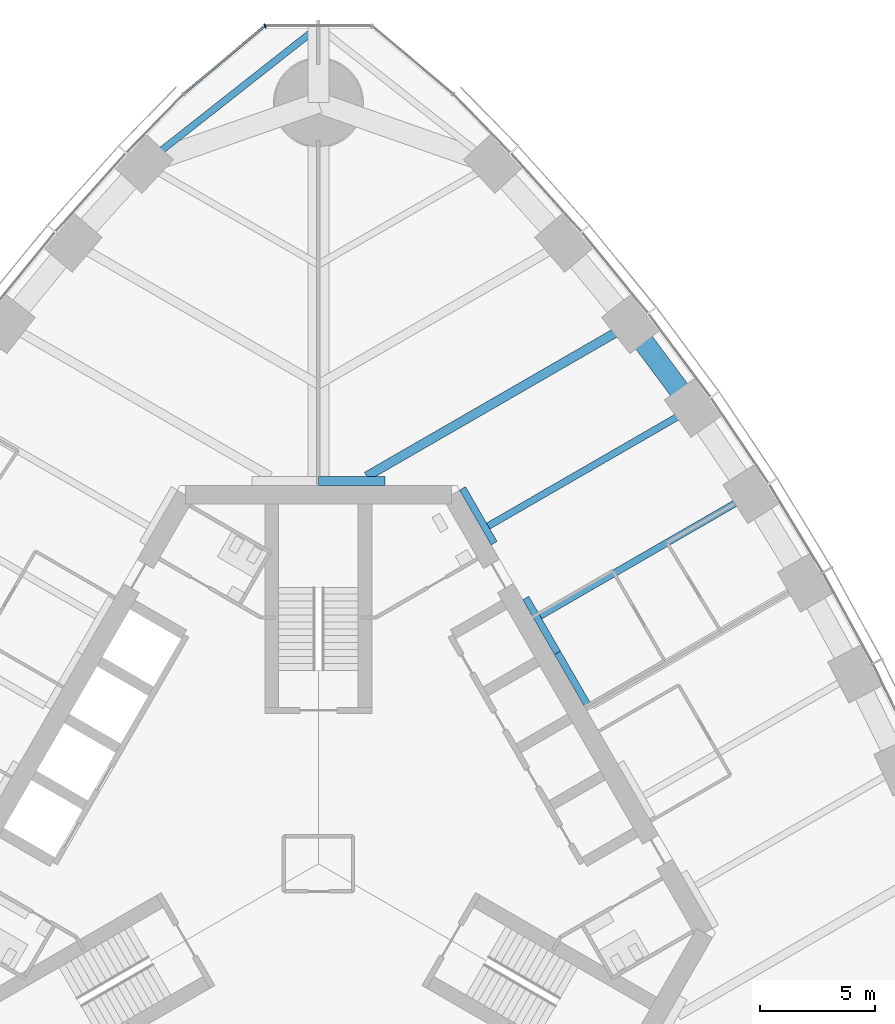
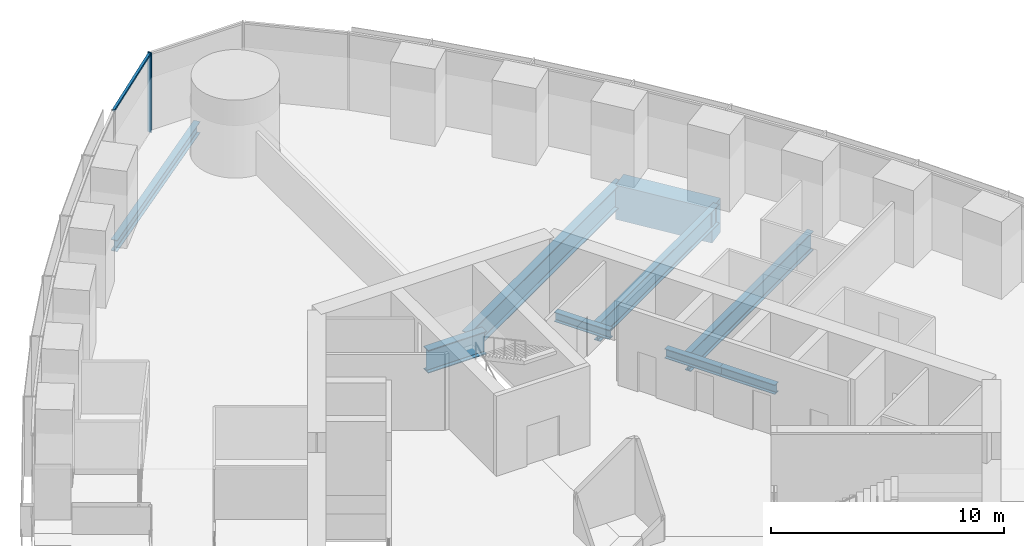
# One storey, part 6 of 18: 9 beams, 2 members, 1 element without a shape of its own.
"""IFC4 building model written with IfcOpenShell, lengths in metres."""

from ifc_helpers import new_model, si_unit, direction, frame, origin, origin_2d, place, context, subcontext, project, spatial, rectangle, i_section, extrude, material, material_profile, profile_set, type_object, element, aggregate, save


model = new_model("IFC4")

# Units and contexts
model_context = context("Model", 3, precision=1e-05, world=origin(), true_north=direction((0.0, 1.0)))
body_context = subcontext(model_context, "Body", "Model", "MODEL_VIEW")
ifc_project = project(units=[si_unit("LENGTHUNIT", "METRE"), si_unit("AREAUNIT", "SQUARE_METRE"), si_unit("VOLUMEUNIT", "CUBIC_METRE"), si_unit("PLANEANGLEUNIT", "RADIAN"), si_unit("MASSUNIT", "GRAM", prefix="KILO")], contexts=[model_context])

# Site, building, storey
site_placement = place(None, origin())
site = spatial("IfcSite", under=ifc_project, at=site_placement, CompositionType="ELEMENT")
building_placement = place(site_placement, origin())
building = spatial("IfcBuilding", under=site, at=building_placement, Name="Trefoil Bronze Tower", CompositionType="ELEMENT")
storey_placement = place(building_placement, frame((0.0, 0.0, 202.300048828125)))
storey = spatial("IfcBuildingStorey", under=building, at=storey_placement, Name="L46", CompositionType="ELEMENT", Elevation=202.300048828125)

# Curtain wall, members
ifc_material_1 = material(Name="Tinted solar-control glass", Category="glass")
curtain_wall_type = type_object("IfcCurtainWallType", Name="Bronze rounded corner curtain wall", PredefinedType="USERDEFINED", material=ifc_material_1)
curtain_wall_placement = place(storey_placement, origin())
curtain_wall = element("IfcCurtainWall", 1, at=curtain_wall_placement, inside=storey, type_object=curtain_wall_type, Name="CW-B L46 K2", ObjectType="CURTAIN WALL", PredefinedType="USERDEFINED")
ifc_material_2 = material(Name="Bronze-finish aluminium", Category="aluminium")
ifc_material_profile_1 = material_profile(ifc_material_2, rectangle(XDim=0.199951171875, YDim=0.06005859375, at=origin_2d()), Name="CW-B mullion")
ifc_profile_set_1 = profile_set([ifc_material_profile_1], Name="Bronze-finish aluminium")
member_type_1 = type_object("IfcMemberType", Name="Bronze rounded corner curtain wall mullion", PredefinedType="MULLION", material=ifc_profile_set_1)
member_1_placement = place(storey_placement, frame((-2.314453125, 36.326416015625, 0.0), z_axis=(0.0, 0.0, 1.0), x_axis=(0.342020143326, -0.939692620786, 0.0)))
member_1 = element("IfcMember", 2, at=member_1_placement, type_object=member_type_1, Name="CW-B L46 K2 mullion 3", PredefinedType="MULLION", context=body_context, shape_type="SweptSolid", body=[
    extrude(rectangle(XDim=0.199951171875, YDim=0.06005859375, at=origin_2d()), origin(), (0.0, 0.0, 1.0), 4.179931640625),
])
ifc_material_3 = material(Name="Bronze-finish aluminium", Category="aluminium")
ifc_material_profile_2 = material_profile(ifc_material_3, rectangle(XDim=0.1201171875, YDim=0.10009765625, at=origin_2d()), Name="CW-B transom")
ifc_profile_set_2 = profile_set([ifc_material_profile_2], Name="Bronze-finish aluminium")
member_type_2 = type_object("IfcMemberType", Name="Bronze rounded corner curtain wall transom", PredefinedType="USERDEFINED", material=ifc_profile_set_2)
member_2_placement = place(storey_placement, frame((-2.367431640625, 36.289794921875, 4.1298828125), z_axis=(-0.766046761698, -0.642784846501, 0.0), x_axis=(0.642784846501, -0.766046761698, 0.0)))
member_2 = element("IfcMember", 3, at=member_2_placement, type_object=member_type_2, Name="CW-B L46 K2 transom 3", ObjectType="TRANSOM", PredefinedType="USERDEFINED", context=body_context, shape_type="SweptSolid", body=[
    extrude(rectangle(XDim=0.1201171875, YDim=0.10009765625, at=origin_2d()), origin(), (0.0, 0.0, 1.0), 4.5),
])
aggregate(curtain_wall, [member_1, member_2])

# Beams
ifc_material_4 = material(Name="Steel C355", Category="steel")
ifc_material_profile_3 = material_profile(ifc_material_4, i_section(OverallWidth=0.300048828125, OverallDepth=0.5, WebThickness=0.014404296875, FlangeThickness=0.028076171875, FilletRadius=0.027099609375, at=origin_2d()), Name="HEB 500")
ifc_profile_set_3 = profile_set([ifc_material_profile_3], Name="Steel C355")
beam_type_1 = type_object("IfcBeamType", Name="Core seat beam HEB 500", PredefinedType="BEAM", material=ifc_profile_set_3)
for number, where, z_axis, x_axis, name in (
    (4, (11.734619140625, 6.77490234375, -0.449951171875), (-0.499969057507, 0.866043267704, 0.0), (-0.866043267704, -0.499969057507, 0.0), "Core seat beam F2/+0 L46"),
    (5, (10.363525390625, 9.14990234375, -0.449951171875), (-0.500035825175, 0.866004719122, 0.0), (-0.866004719122, -0.500035825175, 0.0), "Core seat beam F2/+1 L46"),
    (6, (7.62109375, 13.89990234375, -0.449951171875), (-0.500035825175, 0.866004719122, 0.0), (-0.866004719122, -0.500035825175, 0.0), "Core seat beam F2/+2 L46"),
):
    element("IfcBeam", number, at=place(storey_placement, frame(where, z_axis=z_axis, x_axis=x_axis)), inside=storey, type_object=beam_type_1, Name=name, PredefinedType="BEAM", context=body_context, shape_type="SweptSolid", body=[
        extrude(i_section(OverallWidth=0.300048828125, OverallDepth=0.5, WebThickness=0.014404296875, FlangeThickness=0.028076171875, FilletRadius=0.027099609375, at=origin_2d()), origin(), (0.0, 0.0, 1.0), 2.742431640625),
    ])
ifc_material_5 = material(Name="Steel C355", Category="steel")
ifc_material_profile_4 = material_profile(ifc_material_5, i_section(OverallWidth=0.39990234375, OverallDepth=1.199951171875, WebThickness=0.02001953125, FlangeThickness=0.0400390625, FilletRadius=0.010009765625, at=origin_2d()), Name="WPG 1200")
ifc_profile_set_4 = profile_set([ifc_material_profile_4], Name="Steel C355")
beam_type_2 = type_object("IfcBeamType", Name="Core seat beam WPG 1200", PredefinedType="BEAM", material=ifc_profile_set_4)
beam_1_placement = place(storey_placement, frame((2.88671875, 16.60009765625, -0.800048828125), z_axis=(-1.0, 0.0, 0.0), x_axis=(0.0, -1.0, 0.0)))
element("IfcBeam", 7, at=beam_1_placement, inside=storey, type_object=beam_type_2, Name="Core seat beam F2/+3 L46", PredefinedType="BEAM", context=body_context, shape_type="SweptSolid", body=[
    extrude(i_section(OverallWidth=0.39990234375, OverallDepth=1.199951171875, WebThickness=0.02001953125, FlangeThickness=0.0400390625, FilletRadius=0.010009765625, at=origin_2d()), origin(), (0.0, 0.0, 1.0), 2.88671875),
])
ifc_material_6 = material(Name="Steel C355", Category="steel")
ifc_material_profile_5 = material_profile(ifc_material_6, i_section(OverallWidth=0.300048828125, OverallDepth=0.60009765625, WebThickness=0.015380859375, FlangeThickness=0.030029296875, FilletRadius=0.027099609375, at=origin_2d()), Name="HEB 600")
ifc_profile_set_5 = profile_set([ifc_material_profile_5], Name="Steel C355")
beam_type_3 = type_object("IfcBeamType", Name="Corner edge beam HEB 600", PredefinedType="BEAM", material=ifc_profile_set_5)
beam_2_placement = place(storey_placement, frame((-7.552001953125, 30.3408203125, -0.5), z_axis=(0.785805912008, 0.618473175371, 0.0), x_axis=(-0.618473175371, 0.785805912008, 0.0)))
element("IfcBeam", 8, at=beam_2_placement, inside=storey, type_object=beam_type_3, Name="Corner edge beam F3B L46", PredefinedType="BEAM", context=body_context, shape_type="SweptSolid", body=[
    extrude(i_section(OverallWidth=0.300048828125, OverallDepth=0.60009765625, WebThickness=0.015380859375, FlangeThickness=0.030029296875, FilletRadius=0.027099609375, at=origin_2d()), origin(), (0.0, 0.0, 1.0), 9.610595703125),
])
ifc_material_7 = material(Name="Steel C355", Category="steel")
ifc_material_profile_6 = material_profile(ifc_material_7, i_section(OverallWidth=0.300048828125, OverallDepth=1.0, WebThickness=0.01904296875, FlangeThickness=0.035888671875, FilletRadius=0.030029296875, at=origin_2d()), Name="HEB 1000")
ifc_profile_set_6 = profile_set([ifc_material_profile_6], Name="Steel C355")
beam_type_4 = type_object("IfcBeamType", Name="Floor beam HEB 1000", PredefinedType="BEAM", material=ifc_profile_set_6)
beam_3_placement = place(storey_placement, frame((18.748046875, 16.020263671875, -0.699951171875), z_axis=(-0.866027918957, -0.499995643569, 0.0), x_axis=(0.499995643569, -0.866027918957, 0.0)))
element("IfcBeam", 9, at=beam_3_placement, inside=storey, type_object=beam_type_4, Name="Floor beam F2/+1 L46", PredefinedType="BEAM", context=body_context, shape_type="SweptSolid", body=[
    extrude(i_section(OverallWidth=0.300048828125, OverallDepth=1.0, WebThickness=0.01904296875, FlangeThickness=0.035888671875, FilletRadius=0.030029296875, at=origin_2d()), origin(), (0.0, 0.0, 1.0), 10.54638671875),
])
beam_4_placement = place(storey_placement, frame((16.2265625, 19.7607421875, -0.699951171875), z_axis=(-0.866027856548, -0.499995751665, 0.0), x_axis=(0.499995751665, -0.866027856548, 0.0)))
element("IfcBeam", 10, at=beam_4_placement, inside=storey, type_object=beam_type_4, Name="Floor beam F2/+2 L46", PredefinedType="BEAM", context=body_context, shape_type="SweptSolid", body=[
    extrude(i_section(OverallWidth=0.300048828125, OverallDepth=1.0, WebThickness=0.01904296875, FlangeThickness=0.035888671875, FilletRadius=0.030029296875, at=origin_2d()), origin(), (0.0, 0.0, 1.0), 10.23291015625),
])
ifc_material_8 = material(Name="Steel C355", Category="steel")
ifc_material_profile_7 = material_profile(ifc_material_8, i_section(OverallWidth=0.39990234375, OverallDepth=1.199951171875, WebThickness=0.02001953125, FlangeThickness=0.0400390625, FilletRadius=0.010009765625, at=origin_2d()), Name="WPG 1200")
ifc_profile_set_7 = profile_set([ifc_material_profile_7], Name="Steel C355")
beam_type_5 = type_object("IfcBeamType", Name="Floor beam WPG 1200", PredefinedType="BEAM", material=ifc_profile_set_7)
beam_5_placement = place(storey_placement, frame((13.522216796875, 23.3955078125, -0.800048828125), z_axis=(-0.866028399451, -0.499994811317, 0.0), x_axis=(0.499994811317, -0.866028399451, 0.0)))
element("IfcBeam", 11, at=beam_5_placement, inside=storey, type_object=beam_type_5, Name="Floor beam F2/+3 L46", PredefinedType="BEAM", context=body_context, shape_type="SweptSolid", body=[
    extrude(i_section(OverallWidth=0.39990234375, OverallDepth=1.199951171875, WebThickness=0.02001953125, FlangeThickness=0.0400390625, FilletRadius=0.010009765625, at=origin_2d()), origin(), (0.0, 0.0, 1.0), 13.191162109375),
])
ifc_material_9 = material(Name="Concrete B80", Category="concrete")
ifc_material_profile_8 = material_profile(ifc_material_9, rectangle(XDim=0.89990234375, YDim=1.800048828125, at=origin_2d()), Name="RC 900x1800")
ifc_profile_set_8 = profile_set([ifc_material_profile_8], Name="Concrete B80")
beam_type_6 = type_object("IfcBeamType", Name="Spandrel beam RC 900x1800", PredefinedType="SPANDREL", material=ifc_profile_set_8)
beam_6_placement = place(storey_placement, frame((16.2265625, 19.7607421875, -1.10009765625), z_axis=(-0.596926078257, 0.802296240236, 0.0), x_axis=(-0.802296240236, -0.596926078257, 0.0)))
element("IfcBeam", 12, at=beam_6_placement, inside=storey, type_object=beam_type_6, Name="Spandrel F2.9 L46", PredefinedType="SPANDREL", context=body_context, shape_type="SweptSolid", body=[
    extrude(rectangle(XDim=0.89990234375, YDim=1.800048828125, at=origin_2d()), origin(), (0.0, 0.0, 1.0), 4.530517578125),
])

save(model, "model.ifc")
